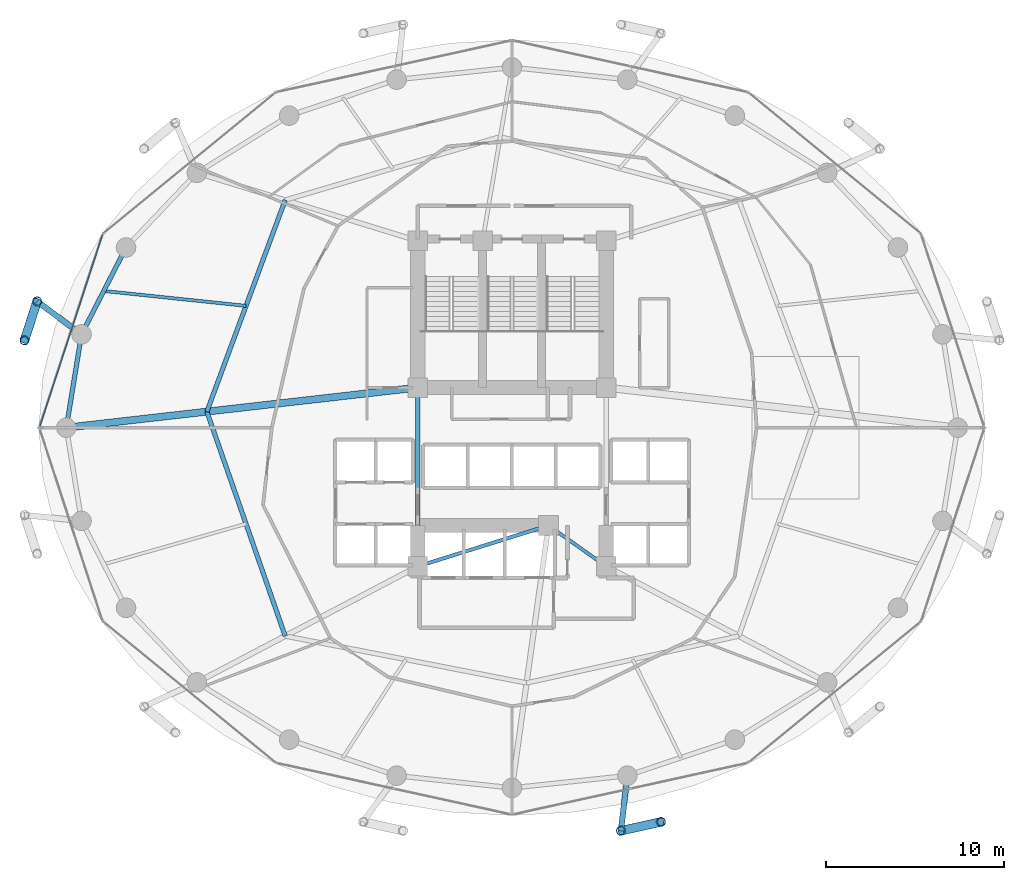
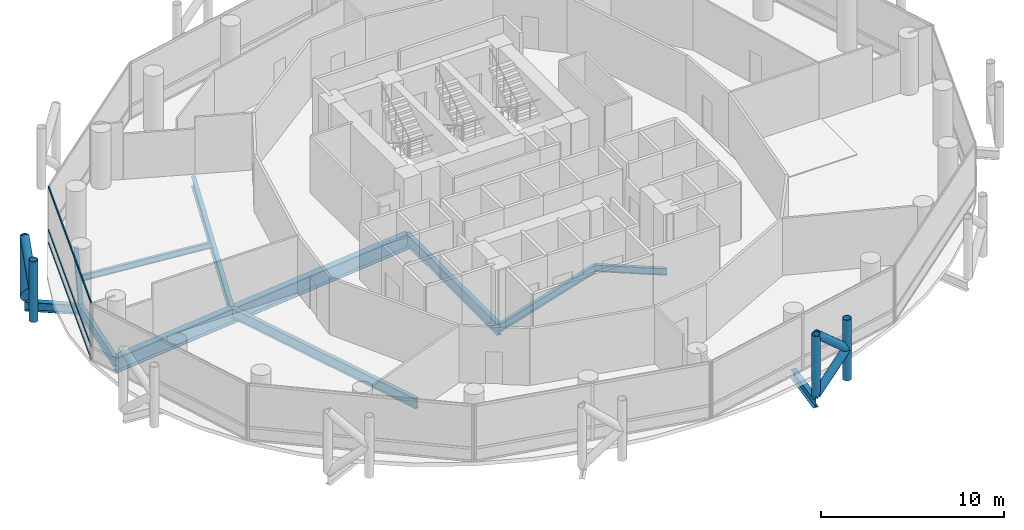
# One storey, part 7 of 26: 11 beams, 11 members, 1 element without a shape of its own.
"""IFC4 building model written with IfcOpenShell, lengths in metres."""

from ifc_helpers import new_model, si_unit, direction, frame, origin, origin_2d, place, context, subcontext, project, spatial, hollow_rectangle, hollow_circle, i_section, extrude, material, layer, layer_set, material_profile, profile_set, type_object, element, aggregate, save


model = new_model("IFC4")

# Units and contexts
model_context = context("Model", 3, precision=1e-05, world=origin(), true_north=direction((0.0, 1.0)))
body_context = subcontext(model_context, "Body", "Model", "MODEL_VIEW")
ifc_project = project(units=[si_unit("LENGTHUNIT", "METRE"), si_unit("AREAUNIT", "SQUARE_METRE"), si_unit("VOLUMEUNIT", "CUBIC_METRE"), si_unit("PLANEANGLEUNIT", "RADIAN"), si_unit("MASSUNIT", "GRAM", prefix="KILO")], contexts=[model_context])

# Site, building, storey
site_placement = place(None, origin())
site = spatial("IfcSite", under=ifc_project, at=site_placement, CompositionType="ELEMENT")
building_placement = place(site_placement, origin())
building = spatial("IfcBuilding", under=site, at=building_placement, Name="Nuhasar Tower", CompositionType="ELEMENT")
storey_placement = place(building_placement, frame((0.0, 0.0, 53.39990234375)))
storey = spatial("IfcBuildingStorey", under=building, at=storey_placement, Name="L12", CompositionType="ELEMENT", Elevation=53.39990234375)

# Beams
ifc_material_1 = material(Name="Steel S355", Category="steel")
ifc_material_profile_1 = material_profile(ifc_material_1, i_section(OverallWidth=0.25390625, OverallDepth=0.68408203125, WebThickness=0.012451171875, FlangeThickness=0.018798828125, at=origin_2d()), Name="W27X94")
ifc_profile_set_1 = profile_set([ifc_material_profile_1], Name="Steel S355")
beam_type_1 = type_object("IfcBeamType", Name="BM-INRING-W27X94", PredefinedType="BEAM", material=ifc_profile_set_1)
beam_1_placement = place(storey_placement, frame((26.251953125, 39.591064453125, -0.601806640625), z_axis=(-0.34715757476, -0.937806812881, 0.0), x_axis=(0.937806812881, -0.34715757476, 0.0)))
element("IfcBeam", 1, at=beam_1_placement, inside=storey, type_object=beam_type_1, Name="L12 Inner Header Beam 07", PredefinedType="BEAM", context=body_context, shape_type="SweptSolid", body=[
    extrude(i_section(OverallWidth=0.25390625, OverallDepth=0.68408203125, WebThickness=0.012451171875, FlangeThickness=0.018798828125, at=origin_2d()), origin(), (0.0, 0.0, 1.0), 12.6796875),
])
beam_2_placement = place(storey_placement, frame((21.85009765625, 27.699951171875, -0.601806640625), z_axis=(0.329554049858, -0.944136710558, 0.0), x_axis=(0.944136710558, 0.329554049858, 0.0)))
element("IfcBeam", 2, at=beam_2_placement, inside=storey, type_object=beam_type_1, Name="L12 Inner Header Beam 08", PredefinedType="BEAM", context=body_context, shape_type="SweptSolid", body=[
    extrude(i_section(OverallWidth=0.25390625, OverallDepth=0.68408203125, WebThickness=0.012451171875, FlangeThickness=0.018798828125, at=origin_2d()), origin(), (0.0, 0.0, 1.0), 13.35693359375),
])
ifc_material_profile_2 = material_profile(ifc_material_1, i_section(OverallWidth=0.177978515625, OverallDepth=0.406005859375, WebThickness=0.0078125, FlangeThickness=0.0126953125, at=origin_2d()), Name="W16X40")
ifc_profile_set_2 = profile_set([ifc_material_profile_2], Name="Steel S355")
beam_type_2 = type_object("IfcBeamType", Name="BM-JST-W16X40", PredefinedType="JOIST", material=ifc_profile_set_2)
beam_3_placement = place(storey_placement, frame((24.051025390625, 33.64501953125, -0.462890625), z_axis=(-0.994554594377, 0.104216883485, 0.0), x_axis=(-0.104216883485, -0.994554594377, 0.0)))
element("IfcBeam", 3, at=beam_3_placement, inside=storey, type_object=beam_type_2, Name="L12 Secondary Floor Joist 07", PredefinedType="JOIST", context=body_context, shape_type="SweptSolid", body=[
    extrude(i_section(OverallWidth=0.177978515625, OverallDepth=0.406005859375, WebThickness=0.0078125, FlangeThickness=0.0126953125, at=origin_2d()), origin(), (0.0, 0.0, 1.0), 8.039794921875),
])
ifc_material_profile_3 = material_profile(ifc_material_1, i_section(OverallWidth=0.18994140625, OverallDepth=0.45703125, WebThickness=0.009033203125, FlangeThickness=0.014404296875, at=origin_2d()), Name="W18X50")
ifc_profile_set_3 = profile_set([ifc_material_profile_3], Name="Steel S355")
beam_type_3 = type_object("IfcBeamType", Name="BM-RAD-W18X50", PredefinedType="BEAM", material=ifc_profile_set_3)
beam_4_placement = place(storey_placement, frame((41.050048828125, 21.300048828125, -0.48779296875), z_axis=(0.816265428953, -0.577677028708, 0.0), x_axis=(0.577677028708, 0.816265428953, 0.0)))
element("IfcBeam", 4, at=beam_4_placement, inside=storey, type_object=beam_type_3, Name="L12 Core Ring Girder 2", PredefinedType="BEAM", context=body_context, shape_type="SweptSolid", body=[
    extrude(i_section(OverallWidth=0.18994140625, OverallDepth=0.45703125, WebThickness=0.009033203125, FlangeThickness=0.014404296875, at=origin_2d()), origin(), (0.0, 0.0, 1.0), 3.9814453125),
])
ifc_material_profile_4 = material_profile(ifc_material_1, i_section(OverallWidth=0.208984375, OverallDepth=0.532958984375, WebThickness=0.01025390625, FlangeThickness=0.015625, at=origin_2d()), Name="W21X62")
ifc_profile_set_4 = profile_set([ifc_material_profile_4], Name="Steel S355")
beam_type_4 = type_object("IfcBeamType", Name="BM-RAD-W21X62", PredefinedType="BEAM", material=ifc_profile_set_4)
beam_5_placement = place(storey_placement, frame((33.699951171875, 19.0, -0.52685546875), z_axis=(0.954363709454, 0.298646798205, 0.0), x_axis=(-0.298646798205, 0.954363709454, 0.0)))
element("IfcBeam", 5, at=beam_5_placement, inside=storey, type_object=beam_type_4, Name="L12 Core Ring Girder 1", PredefinedType="BEAM", context=body_context, shape_type="SweptSolid", body=[
    extrude(i_section(OverallWidth=0.208984375, OverallDepth=0.532958984375, WebThickness=0.01025390625, FlangeThickness=0.015625, at=origin_2d()), origin(), (0.0, 0.0, 1.0), 7.70166015625),
])
ifc_material_profile_5 = material_profile(ifc_material_1, i_section(OverallWidth=0.26611328125, OverallDepth=0.779052734375, WebThickness=0.0166015625, FlangeThickness=0.030029296875, at=origin_2d()), Name="W30X148")
ifc_profile_set_5 = profile_set([ifc_material_profile_5], Name="Steel S355")
beam_type_5 = type_object("IfcBeamType", Name="BM-RAD-W30X148", PredefinedType="BEAM", material=ifc_profile_set_5)
beam_6_placement = place(storey_placement, frame((33.699951171875, 29.050048828125, -0.64892578125), z_axis=(0.0, -1.0, 0.0), x_axis=(1.0, 0.0, 0.0)))
element("IfcBeam", 6, at=beam_6_placement, inside=storey, type_object=beam_type_5, Name="L12 Core Ring Girder 8", PredefinedType="BEAM", context=body_context, shape_type="SweptSolid", body=[
    extrude(i_section(OverallWidth=0.26611328125, OverallDepth=0.779052734375, WebThickness=0.0166015625, FlangeThickness=0.030029296875, at=origin_2d()), origin(), (0.0, 0.0, 1.0), 10.050048828125),
])
ifc_material_profile_6 = material_profile(ifc_material_1, i_section(OverallWidth=0.256103515625, OverallDepth=0.693115234375, WebThickness=0.014404296875, FlangeThickness=0.023681640625, at=origin_2d()), Name="W27X114")
ifc_profile_set_6 = profile_set([ifc_material_profile_6], Name="Steel S355")
beam_type_6 = type_object("IfcBeamType", Name="BM-RING-W27X114", PredefinedType="SPANDREL", material=ifc_profile_set_6)
beam_7_placement = place(storey_placement, frame((17.305908203125, 36.925048828125, -0.60595703125), z_axis=(-0.455930023905, -0.890015625314, 0.0), x_axis=(0.890015625314, -0.455930023905, 0.0)))
element("IfcBeam", 7, at=beam_7_placement, inside=storey, type_object=beam_type_6, Name="L12 Perimeter Ring Spandrel 11", PredefinedType="SPANDREL", context=body_context, shape_type="SweptSolid", body=[
    extrude(i_section(OverallWidth=0.256103515625, OverallDepth=0.693115234375, WebThickness=0.014404296875, FlangeThickness=0.023681640625, at=origin_2d()), origin(), (0.0, 0.0, 1.0), 5.487548828125),
])
beam_8_placement = place(storey_placement, frame((14.803955078125, 32.041015625, -0.60595703125), z_axis=(-0.160826635486, -0.986982671235, 0.0), x_axis=(0.986982671235, -0.160826635486, 0.0)))
element("IfcBeam", 8, at=beam_8_placement, inside=storey, type_object=beam_type_6, Name="L12 Perimeter Ring Spandrel 12", PredefinedType="SPANDREL", context=body_context, shape_type="SweptSolid", body=[
    extrude(i_section(OverallWidth=0.256103515625, OverallDepth=0.693115234375, WebThickness=0.014404296875, FlangeThickness=0.023681640625, at=origin_2d()), origin(), (0.0, 0.0, 1.0), 5.31005859375),
])
ifc_material_profile_7 = material_profile(ifc_material_1, i_section(OverallWidth=0.323974609375, OverallDepth=0.611083984375, WebThickness=0.0126953125, FlangeThickness=0.01904296875, at=origin_2d()), Name="W24X104")
ifc_profile_set_7 = profile_set([ifc_material_profile_7], Name="Steel S355")
beam_type_7 = type_object("IfcBeamType", Name="BM-TIE-W24X104", PredefinedType="BEAM", material=ifc_profile_set_7)
beam_9_placement = place(storey_placement, frame((14.803955078125, 32.041015625, -0.56591796875), z_axis=(-0.802151061326, 0.597121155892, 0.0), x_axis=(-0.597121155892, -0.802151061326, 0.0)))
element("IfcBeam", 9, at=beam_9_placement, inside=storey, type_object=beam_type_7, Name="L12 Exoskeleton Node Tie Beam 06", PredefinedType="BEAM", context=body_context, shape_type="SweptSolid", body=[
    extrude(i_section(OverallWidth=0.323974609375, OverallDepth=0.611083984375, WebThickness=0.0126953125, FlangeThickness=0.01904296875, at=origin_2d()), origin(), (0.0, 0.0, 1.0), 3.111328125),
])
beam_10_placement = place(storey_placement, frame((45.48291015625, 7.239990234375, -0.56591796875), z_axis=(-0.115042934281, -0.993360520291, 0.0), x_axis=(0.993360520291, -0.115042934281, 0.0)))
element("IfcBeam", 10, at=beam_10_placement, inside=storey, type_object=beam_type_7, Name="L12 Exoskeleton Node Tie Beam 10", PredefinedType="BEAM", context=body_context, shape_type="SweptSolid", body=[
    extrude(i_section(OverallWidth=0.323974609375, OverallDepth=0.611083984375, WebThickness=0.0126953125, FlangeThickness=0.01904296875, at=origin_2d()), origin(), (0.0, 0.0, 1.0), 3.11962890625),
])
ifc_material_2 = material(Name="Steel S460", Category="steel")
ifc_material_profile_8 = material_profile(ifc_material_2, i_section(OverallWidth=0.40087890625, OverallDepth=1.010009765625, WebThickness=0.023681640625, FlangeThickness=0.0419921875, at=origin_2d()), Name="W40X297")
ifc_profile_set_8 = profile_set([ifc_material_profile_8], Name="Steel S460")
beam_type_8 = type_object("IfcBeamType", Name="BM-XFER-W40X297", PredefinedType="USERDEFINED", material=ifc_profile_set_8)
beam_11_placement = place(storey_placement, frame((33.699951171875, 29.050048828125, -0.764892578125), z_axis=(-0.993573147212, -0.113191877531, 0.0), x_axis=(0.113191877531, -0.993573147212, 0.0)))
element("IfcBeam", 11, at=beam_11_placement, inside=storey, type_object=beam_type_8, Name="L12 Radial Floor Girder 08", ObjectType="GIRDER", PredefinedType="USERDEFINED", context=body_context, shape_type="SweptSolid", body=[
    extrude(i_section(OverallWidth=0.40087890625, OverallDepth=1.010009765625, WebThickness=0.023681640625, FlangeThickness=0.0419921875, at=origin_2d()), origin(), (0.0, 0.0, 1.0), 19.877685546875),
])

# Curtain wall, members
ifc_material_3 = material(Name="Aluminium 6063-T6", Category="aluminium")
ifc_layer = layer(ifc_material_3, 0.199951171875)
ifc_layer_set = layer_set([ifc_layer], Name="Aluminium 6063-T6")
curtain_wall_type = type_object("IfcCurtainWallType", Name="CW-Z1-OFF", PredefinedType="NOTDEFINED", material=ifc_layer_set)
curtain_wall_placement = place(storey_placement, origin())
curtain_wall = element("IfcCurtainWall", 12, at=curtain_wall_placement, inside=storey, type_object=curtain_wall_type, Name="L12 Unitised Curtain Wall 06", PredefinedType="NOTDEFINED")
ifc_material_profile_9 = material_profile(ifc_material_3, hollow_rectangle(XDim=0.06494140625, YDim=0.14990234375, WallThickness=0.00439453125, at=origin_2d()), Name="CWT-2")
ifc_profile_set_9 = profile_set([ifc_material_profile_9], Name="Aluminium 6063-T6")
member_type_1 = type_object("IfcMemberType", Name="CW-TRN-S2", PredefinedType="USERDEFINED", material=ifc_profile_set_9)
member_1_placement = place(storey_placement, frame((15.977783203125, 37.6181640625, 0.03271484375), z_axis=(-0.31082506089, -0.950467138581, 0.0), x_axis=(0.950467138581, -0.31082506089, 0.0)))
member_1 = element("IfcMember", 13, at=member_1_placement, type_object=member_type_1, Name="CW-Z1 transom 1.1", ObjectType="TRANSOM", PredefinedType="USERDEFINED", context=body_context, shape_type="SweptSolid", body=[
    extrude(hollow_rectangle(XDim=0.06494140625, YDim=0.14990234375, WallThickness=0.00439453125, at=origin_2d()), origin(), (0.0, 0.0, 1.0), 11.31689453125),
])
member_2_placement = place(storey_placement, frame((15.977783203125, 37.6181640625, 0.900146484375), z_axis=(-0.31082506089, -0.950467138581, 0.0), x_axis=(0.950467138581, -0.31082506089, 0.0)))
member_2 = element("IfcMember", 14, at=member_2_placement, type_object=member_type_1, Name="CW-Z1 transom 1.2", ObjectType="TRANSOM", PredefinedType="USERDEFINED", context=body_context, shape_type="SweptSolid", body=[
    extrude(hollow_rectangle(XDim=0.06494140625, YDim=0.14990234375, WallThickness=0.00439453125, at=origin_2d()), origin(), (0.0, 0.0, 1.0), 11.31689453125),
])
member_3_placement = place(storey_placement, frame((15.977783203125, 37.6181640625, 3.767578125), z_axis=(-0.31082506089, -0.950467138581, 0.0), x_axis=(0.950467138581, -0.31082506089, 0.0)))
member_3 = element("IfcMember", 15, at=member_3_placement, type_object=member_type_1, Name="CW-Z1 transom 1.3", ObjectType="TRANSOM", PredefinedType="USERDEFINED", context=body_context, shape_type="SweptSolid", body=[
    extrude(hollow_rectangle(XDim=0.06494140625, YDim=0.14990234375, WallThickness=0.00439453125, at=origin_2d()), origin(), (0.0, 0.0, 1.0), 11.31689453125),
])
aggregate(curtain_wall, [member_1, member_2, member_3])

# Members
ifc_material_profile_10 = material_profile(ifc_material_2, hollow_circle(Radius=0.25390625, WallThickness=0.025390625, at=origin_2d()), Name="HSS508X25.4")
ifc_profile_set_10 = profile_set([ifc_material_profile_10], Name="Steel S460")
member_type_2 = type_object("IfcMemberType", Name="EXO-BRONZE-508", PredefinedType="BRACE", material=ifc_profile_set_10)
for number, where, z_axis, x_axis, name in (
    (16, (12.30810546875, 33.89892578125, 0.0), (0.0, 0.0, 1.0), (1.0, 0.0, 0.0), "L12 Exoskeleton Chord Column EC-06A"),
    (17, (11.60009765625, 31.7099609375, 0.0), (0.0, 0.0, 1.0), (1.0, 0.0, 0.0), "L12 Exoskeleton Chord Column EC-06B"),
    (18, (45.1240234375, 4.14111328125, 0.0), (0.0, 0.0, 1.0), (1.0, 0.0, 0.0), "L12 Exoskeleton Chord Column EC-10A"),
    (19, (47.3701171875, 4.639892578125, 0.0), (0.0, 0.0, 1.0), (1.0, 0.0, 0.0), "L12 Exoskeleton Chord Column EC-10B"),
):
    element("IfcMember", number, at=place(storey_placement, frame(where, z_axis=z_axis, x_axis=x_axis)), inside=storey, type_object=member_type_2, Name=name, PredefinedType="BRACE", context=body_context, shape_type="SweptSolid", body=[
        extrude(hollow_circle(Radius=0.25390625, WallThickness=0.025390625, at=origin_2d()), origin(), (0.0, 0.0, 1.0), 4.050048828125),
    ])
member_4_placement = place(storey_placement, frame((12.30810546875, 33.89892578125, 0.0), z_axis=(-0.230999678299, -0.714187281251, 0.660738734997), x_axis=(0.951468282519, -0.307746823478, 0.0)))
element("IfcMember", 20, at=member_4_placement, inside=storey, type_object=member_type_2, Name="L12 Bronze Diagrid Brace W1-06", PredefinedType="BRACE", context=body_context, shape_type="SweptSolid", body=[
    extrude(hollow_circle(Radius=0.25390625, WallThickness=0.025390625, at=origin_2d()), origin(), (0.0, 0.0, 1.0), 3.06494140625),
])
member_5_placement = place(storey_placement, frame((11.60009765625, 31.7099609375, 2.025146484375), z_axis=(0.231011836313, 0.714224870475, 0.660693851854), x_axis=(-0.951468282519, 0.307746823478, 0.0)))
element("IfcMember", 21, at=member_5_placement, inside=storey, type_object=member_type_2, Name="L12 Bronze Diagrid Brace W2-06", PredefinedType="BRACE", context=body_context, shape_type="SweptSolid", body=[
    extrude(hollow_circle(Radius=0.25390625, WallThickness=0.025390625, at=origin_2d()), origin(), (0.0, 0.0, 1.0), 3.064697265625),
])
member_6_placement = place(storey_placement, frame((45.1240234375, 4.14111328125, 0.0), z_axis=(0.732792408767, 0.162727705556, 0.660707938122), x_axis=(-0.216784396973, 0.976219506683, 0.0)))
element("IfcMember", 22, at=member_6_placement, inside=storey, type_object=member_type_2, Name="L12 Bronze Diagrid Brace W1-10", PredefinedType="BRACE", context=body_context, shape_type="SweptSolid", body=[
    extrude(hollow_circle(Radius=0.25390625, WallThickness=0.025390625, at=origin_2d()), origin(), (0.0, 0.0, 1.0), 3.065185546875),
])
member_7_placement = place(storey_placement, frame((47.3701171875, 4.639892578125, 2.025146484375), z_axis=(-0.732830973624, -0.162736269469, 0.66066305383), x_axis=(0.216784396973, -0.976219506683, 0.0)))
element("IfcMember", 23, at=member_7_placement, inside=storey, type_object=member_type_2, Name="L12 Bronze Diagrid Brace W2-10", PredefinedType="BRACE", context=body_context, shape_type="SweptSolid", body=[
    extrude(hollow_circle(Radius=0.25390625, WallThickness=0.025390625, at=origin_2d()), origin(), (0.0, 0.0, 1.0), 3.06494140625),
])

save(model, "model.ifc")
